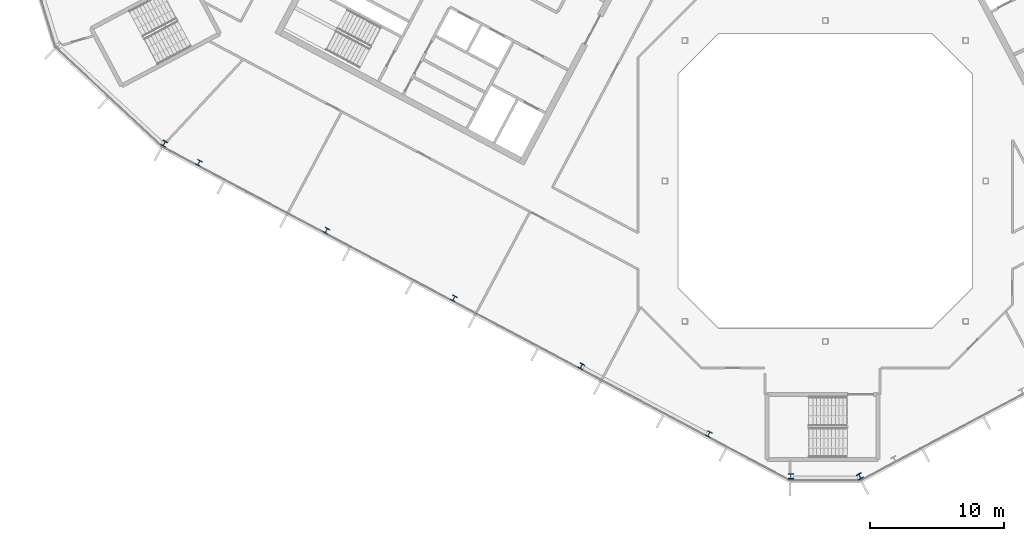
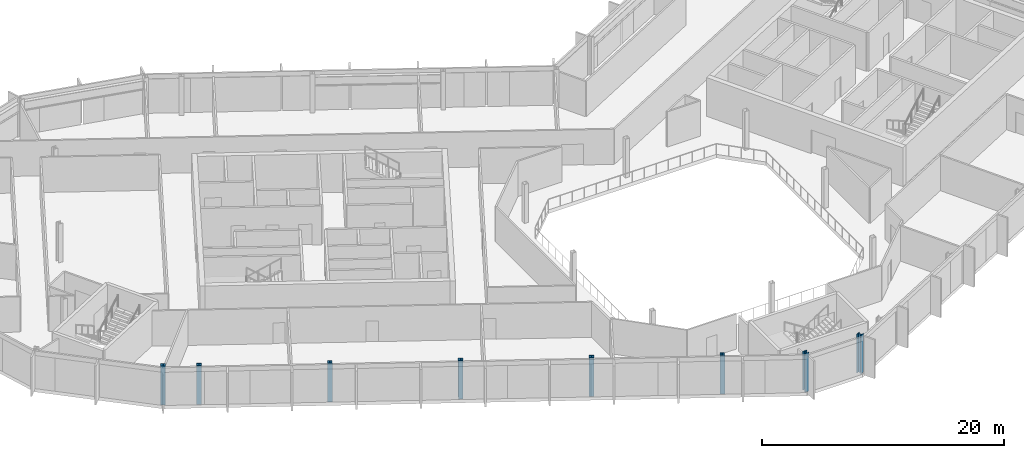
# One storey, part 1 of 26: 8 columns.
"""IFC4 building model written with IfcOpenShell, lengths in metres."""

import ifcopenshell
import ifcopenshell.guid

model = None  # the IFC model being written
_history = None  # IfcOwnerHistory: only IFC2X3 demands one
_inside = {}  # id of a spatial element -> (the spatial element, [elements in it])
_under = {}  # id of a project, library or spatial element -> (it, [spatial elements below it])
_declared = {}  # id of a project -> (the project, [libraries it declares])
_typed = {}  # id of a type object -> (the type object, [elements of that type])
_made_of = {}  # id of a material, layer set ... -> (it, [elements and type objects made of it])


def new_model(schema):
    """Start an empty IFC model of exactly this schema.

    Asked for "IFC4X3", IfcOpenShell would pick the latest addendum, in which some entities
    have other attributes; the version numbers below select the first issue.
    IFC2X3 requires an IfcOwnerHistory on every rooted entity: one is made here for all.
    """
    global model, _history
    if schema == "IFC4X3":
        model = ifcopenshell.file(schema_version=(4, 3, 0, 0))
    else:
        model = ifcopenshell.file(schema=schema)
    _inside.clear()
    _under.clear()
    _declared.clear()
    _typed.clear()
    _made_of.clear()
    _history = None
    if model.schema == "IFC2X3":
        org = make("IfcOrganization", Name="unknown")
        user = make(
            "IfcPersonAndOrganization",
            ThePerson=make("IfcPerson", FamilyName="unknown"),
            TheOrganization=org,
        )
        app = make(
            "IfcApplication",
            ApplicationDeveloper=org,
            Version="unknown",
            ApplicationFullName="unknown",
            ApplicationIdentifier="unknown",
        )
        _history = make(
            "IfcOwnerHistory",
            OwningUser=user,
            OwningApplication=app,
            ChangeAction="ADDED",
            CreationDate=0,
        )
    return model


def make(cls, **values):
    """One entity of the class cls with the attributes given. An attribute that is None is left unset."""
    return model.create_entity(
        cls, **{name: value for name, value in values.items() if value is not None}
    )


def rooted(cls, **values):
    """An entity with a GlobalId (a new one), such as an element, a storey or a relation."""
    return make(cls, GlobalId=ifcopenshell.guid.new(), OwnerHistory=_history, **values)


def si_unit(unit_type, name, prefix=None):
    """IfcSIUnit, for example si_unit("LENGTHUNIT", "METRE", prefix="MILLI")."""
    return make("IfcSIUnit", UnitType=unit_type, Prefix=prefix, Name=name)


def assignment(units):
    """IfcUnitAssignment: the units of a project."""
    return None if units is None else make("IfcUnitAssignment", Units=units)


def point(xyz):
    """IfcCartesianPoint."""
    return None if xyz is None else make("IfcCartesianPoint", Coordinates=xyz)


def direction(xyz):
    """IfcDirection."""
    return None if xyz is None else make("IfcDirection", DirectionRatios=xyz)


def frame(location, z_axis=None, x_axis=None):
    """IfcAxis2Placement3D, a coordinate frame: its origin and axes. An axis left out is left unset."""
    return make(
        "IfcAxis2Placement3D",
        Location=point(location),
        Axis=direction(z_axis),
        RefDirection=direction(x_axis),
    )


def frame_2d(location, x_axis=None):
    """IfcAxis2Placement2D, a coordinate frame in the plane: its origin and x axis."""
    return make(
        "IfcAxis2Placement2D", Location=point(location), RefDirection=direction(x_axis)
    )


def origin():
    """The frame at (0, 0, 0) with its axes left unset."""
    return frame((0.0, 0.0, 0.0))


def origin_2d():
    """The frame at (0, 0) in the plane with its x axis left unset."""
    return frame_2d((0.0, 0.0))


def place(relative_to, where):
    """IfcLocalPlacement: puts the frame where relative to a parent placement (None: the world)."""
    return make(
        "IfcLocalPlacement", PlacementRelTo=relative_to, RelativePlacement=where
    )


def context(
    kind, dimensions, precision=None, world=None, true_north=None, identifier=None
):
    """IfcGeometricRepresentationContext, for example the 3D "Model" context."""
    return make(
        "IfcGeometricRepresentationContext",
        ContextIdentifier=identifier,
        ContextType=kind,
        CoordinateSpaceDimension=dimensions,
        Precision=precision,
        WorldCoordinateSystem=world,
        TrueNorth=true_north,
    )


def subcontext(parent, identifier, kind, view, scale=None):
    """IfcGeometricRepresentationSubContext, for example "Body" below "Model"."""
    return make(
        "IfcGeometricRepresentationSubContext",
        ContextIdentifier=identifier,
        ContextType=kind,
        ParentContext=parent,
        TargetScale=scale,
        TargetView=view,
    )


def project(units=None, contexts=None):
    """IfcProject with its units and contexts."""
    return rooted(
        "IfcProject",
        Name="project",
        RepresentationContexts=contexts,
        UnitsInContext=assignment(units),
    )


def spatial(cls, under=None, at=None, **own):
    """A site, building, storey or space (cls), placed at a placement, below another one or the project."""
    s = rooted(cls, ObjectPlacement=at, **own)
    if under is not None:
        _under.setdefault(under.id(), (under, []))[1].append(s)
    return s


def profile(cls, at=None, kind="AREA", **sizes):
    """A parametric profile (cls). Its sizes go by their IFC names, for example OverallWidth=200.0."""
    return make(cls, ProfileType=kind, Position=at, **sizes)


def i_section(**sizes):
    """IfcIShapeProfileDef."""
    return profile("IfcIShapeProfileDef", **sizes)


def extrude(swept, where, along, depth):
    """IfcExtrudedAreaSolid: the profile swept, set in the frame where, extruded along a direction by depth."""
    return make(
        "IfcExtrudedAreaSolid",
        SweptArea=swept,
        Position=where,
        ExtrudedDirection=direction(along),
        Depth=depth,
    )


def shape(context_of_items, identifier, shape_type, items):
    """IfcShapeRepresentation: the items that make up one representation, for example the "Body"."""
    return make(
        "IfcShapeRepresentation",
        ContextOfItems=context_of_items,
        RepresentationIdentifier=identifier,
        RepresentationType=shape_type,
        Items=items,
    )


def material(Name=None, Category=None):
    """IfcMaterial."""
    return make("IfcMaterial", Name=Name, Category=Category)


def material_profile(
    of_material, cross_section, Name=None, Category=None, Priority=None
):
    """IfcMaterialProfile: a cross section and its material."""
    return make(
        "IfcMaterialProfile",
        Name=Name,
        Material=of_material,
        Profile=cross_section,
        Priority=Priority,
        Category=Category,
    )


def profile_set(profiles, Name=None, composite=None):
    """IfcMaterialProfileSet."""
    return make(
        "IfcMaterialProfileSet",
        Name=Name,
        MaterialProfiles=profiles,
        CompositeProfile=composite,
    )


def made_of(thing, what):
    """Note that an element or type object is made of a material, layer set ...; save() writes the relation."""
    if what is not None:
        _made_of.setdefault(what.id(), (what, []))[1].append(thing)
    return thing


def type_object(cls, material=None, **own):
    """A type object (cls), such as IfcWallType, which elements share."""
    return made_of(rooted(cls, **own), material)


def element(
    cls,
    number,
    at=None,
    inside=None,
    cuts=None,
    type_object=None,
    material=None,
    context=None,
    identifier="Body",
    shape_type=None,
    held_by="IfcProductDefinitionShape",
    body=None,
    shapes=None,
    **own,
):
    """One element of the class cls, such as IfcWall. Its Tag is "e" and its number.

    at: its placement. inside: the storey or other place that contains it. cuts: it is an
    opening in that element (IfcRelVoidsElement). A single representation is given by context,
    identifier, shape_type and body (its items); several are given by shapes. held_by: the class
    of the entity that holds the representations. save() writes the other relations.
    """
    e = rooted(cls, Tag="e%d" % number, ObjectPlacement=at, **own)
    if body is not None:
        shapes = [shape(context, identifier, shape_type, body)]
    if shapes is not None:
        e.Representation = make(held_by, Representations=shapes)
    if inside is not None:
        _inside.setdefault(inside.id(), (inside, []))[1].append(e)
    if cuts is not None:
        rooted(
            "IfcRelVoidsElement", RelatingBuildingElement=cuts, RelatedOpeningElement=e
        )
    if type_object is not None:
        _typed.setdefault(type_object.id(), (type_object, []))[1].append(e)
    return made_of(e, material)


def aggregate(whole, parts):
    """IfcRelAggregates: a whole, such as a stair, and the parts it consists of."""
    return rooted("IfcRelAggregates", RelatingObject=whole, RelatedObjects=parts)


def save(model, path):
    """Write the relations noted so far, then the file.

    IfcRelAggregates (storeys below a building ...), IfcRelContainedInSpatialStructure (elements
    in a storey), IfcRelDefinesByType, IfcRelAssociatesMaterial and IfcRelDeclares: one each for
    every whole, place, type object, material and project.
    """
    for whole, parts in _under.values():
        aggregate(whole, parts)
    for where, things in _inside.values():
        rooted(
            "IfcRelContainedInSpatialStructure",
            RelatedElements=things,
            RelatingStructure=where,
        )
    for kind, things in _typed.values():
        rooted("IfcRelDefinesByType", RelatedObjects=things, RelatingType=kind)
    for what, things in _made_of.values():
        rooted("IfcRelAssociatesMaterial", RelatedObjects=things, RelatingMaterial=what)
    for by, libraries in _declared.values():
        rooted("IfcRelDeclares", RelatingContext=by, RelatedDefinitions=libraries)
    model.write(path)


model = new_model("IFC4")

# Units and contexts
model_context = context("Model", 3, precision=1e-05, world=origin(), true_north=direction((0.0, 1.0)))
body_context = subcontext(model_context, "Body", "Model", "MODEL_VIEW")
ifc_project = project(units=[si_unit("LENGTHUNIT", "METRE"), si_unit("AREAUNIT", "SQUARE_METRE"), si_unit("VOLUMEUNIT", "CUBIC_METRE"), si_unit("PLANEANGLEUNIT", "RADIAN"), si_unit("MASSUNIT", "GRAM", prefix="KILO")], contexts=[model_context])

# Site, building, storey
site_placement = place(None, origin())
site = spatial("IfcSite", under=ifc_project, at=site_placement, CompositionType="ELEMENT")
building_placement = place(site_placement, origin())
building = spatial("IfcBuilding", under=site, at=building_placement, Name="Cormorant Relay Tower", CompositionType="ELEMENT")
storey_placement = place(building_placement, frame((0.0, 0.0, 269.699951171875)))
storey = spatial("IfcBuildingStorey", under=building, at=storey_placement, Name="L60", CompositionType="ELEMENT", Elevation=269.699951171875)

# Columns
ifc_material_1 = material(Name="Steel ASTM A992 (Fy 345 MPa)", Category="steel")
ifc_material_profile_1 = material_profile(ifc_material_1, i_section(OverallWidth=0.398681640625, OverallDepth=0.385986328125, WebThickness=0.02099609375, FlangeThickness=0.033203125, FilletRadius=0.01513671875, at=origin_2d()), Name="W360x262")
ifc_profile_set_1 = profile_set([ifc_material_profile_1], Name="Steel ASTM A992 (Fy 345 MPa)")
column_type_1 = type_object("IfcColumnType", Name="Column W360x262", PredefinedType="COLUMN", material=ifc_profile_set_1)
for number, where, z_axis, x_axis, name in (
    (1, (-8.705078125, -18.928955078125, 0.0), (0.0, 0.0, 1.0), (0.882947592859, -0.469471562786, 0.0), "Column L60-004"),
    (2, (-18.240966796875, -13.85791015625, 0.0), (0.0, 0.0, 1.0), (0.882947592859, -0.469471562786, 0.0), "Column L60-006"),
    (3, (-27.777099609375, -8.7880859375, 0.0), (0.0, 0.0, 1.0), (0.882947592859, -0.469471562786, 0.0), "Column L60-011"),
    (4, (-37.31298828125, -3.718017578125, 0.0), (0.0, 0.0, 1.0), (0.882947592859, -0.469471562786, 0.0), "Column L60-013"),
    (5, (-46.84912109375, 1.35205078125, 0.0), (0.0, 0.0, 1.0), (0.882947592859, -0.469471562786, 0.0), "Column L60-017"),
):
    element("IfcColumn", number, at=place(storey_placement, frame(where, z_axis=z_axis, x_axis=x_axis)), inside=storey, type_object=column_type_1, Name=name, PredefinedType="COLUMN", context=body_context, shape_type="SweptSolid", body=[
        extrude(i_section(OverallWidth=0.398681640625, OverallDepth=0.385986328125, WebThickness=0.02099609375, FlangeThickness=0.033203125, FilletRadius=0.01513671875, at=origin_2d()), origin(), (0.0, 0.0, 1.0), 3.900146484375),
    ])
ifc_material_2 = material(Name="Steel ASTM A992 (Fy 345 MPa)", Category="steel")
ifc_material_profile_2 = material_profile(ifc_material_2, i_section(OverallWidth=0.40380859375, OverallDepth=0.406494140625, WebThickness=0.027099609375, FlangeThickness=0.043701171875, FilletRadius=0.01513671875, at=origin_2d()), Name="W360x347")
ifc_profile_set_2 = profile_set([ifc_material_profile_2], Name="Steel ASTM A992 (Fy 345 MPa)")
column_type_2 = type_object("IfcColumnType", Name="Column W360x347", PredefinedType="COLUMN", material=ifc_profile_set_2)
for number, where, z_axis, x_axis, name in (
    (6, (-2.5791015625, -22.093994140625, 0.0), (0.0, 0.0, 1.0), (1.0, 0.0, 0.0), "Column L60-001"),
    (7, (2.5791015625, -22.093994140625, 0.0), (0.0, 0.0, 1.0), (0.882947592859, 0.469471562786, 0.0), "Column L60-002"),
    (8, (-49.44091796875, 2.7958984375, 0.0), (0.0, 0.0, 1.0), (0.882947592859, -0.469471562786, 0.0), "Column L60-018"),
):
    element("IfcColumn", number, at=place(storey_placement, frame(where, z_axis=z_axis, x_axis=x_axis)), inside=storey, type_object=column_type_2, Name=name, PredefinedType="COLUMN", context=body_context, shape_type="SweptSolid", body=[
        extrude(i_section(OverallWidth=0.40380859375, OverallDepth=0.406494140625, WebThickness=0.027099609375, FlangeThickness=0.043701171875, FilletRadius=0.01513671875, at=origin_2d()), origin(), (0.0, 0.0, 1.0), 3.900146484375),
    ])

save(model, "model.ifc")
